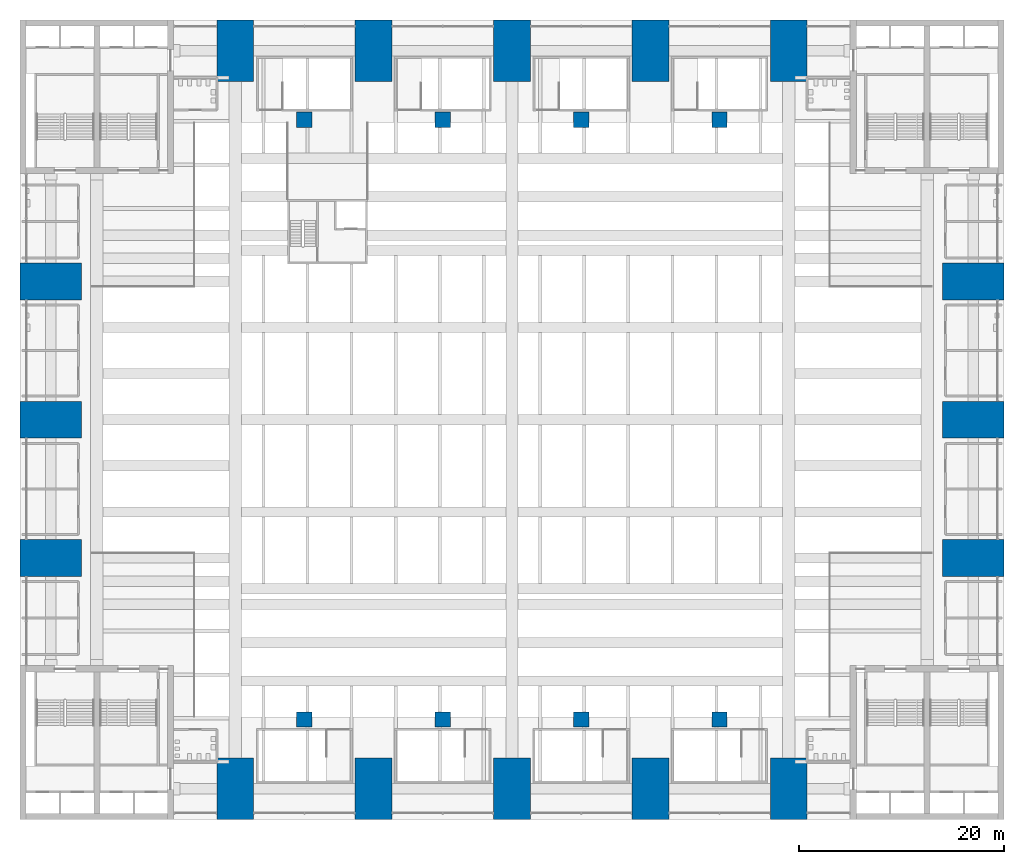
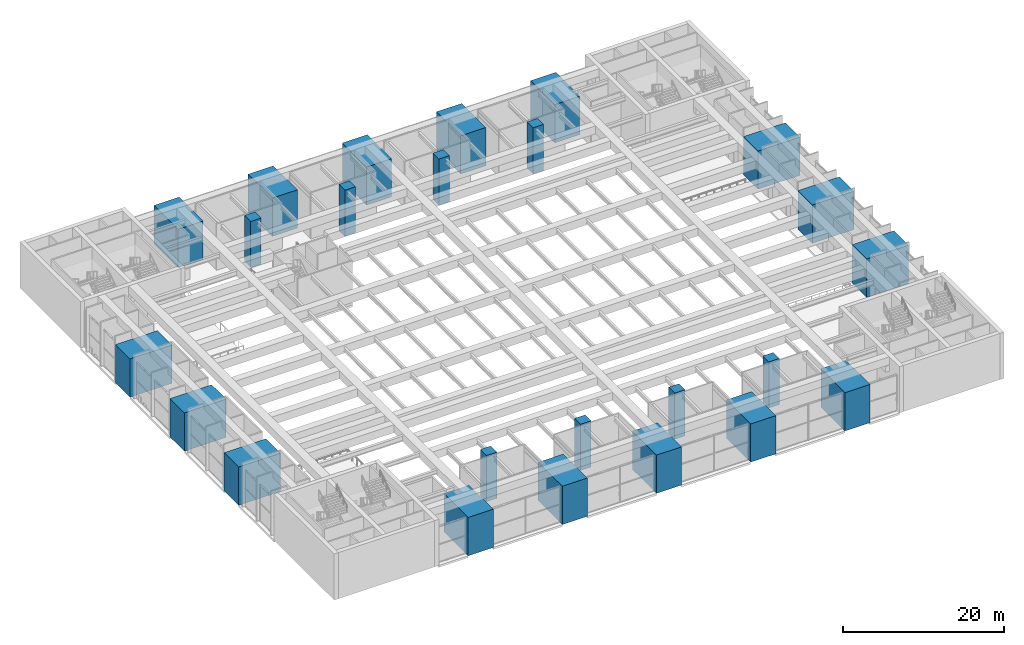
# One storey, part 1 of 45: 24 columns.
"""IFC4 building model written with IfcOpenShell, lengths in metres."""

import ifcopenshell
import ifcopenshell.guid

model = None  # the IFC model being written
_history = None  # IfcOwnerHistory: only IFC2X3 demands one
_inside = {}  # id of a spatial element -> (the spatial element, [elements in it])
_under = {}  # id of a project, library or spatial element -> (it, [spatial elements below it])
_declared = {}  # id of a project -> (the project, [libraries it declares])
_typed = {}  # id of a type object -> (the type object, [elements of that type])
_made_of = {}  # id of a material, layer set ... -> (it, [elements and type objects made of it])


def new_model(schema):
    """Start an empty IFC model of exactly this schema.

    Asked for "IFC4X3", IfcOpenShell would pick the latest addendum, in which some entities
    have other attributes; the version numbers below select the first issue.
    IFC2X3 requires an IfcOwnerHistory on every rooted entity: one is made here for all.
    """
    global model, _history
    if schema == "IFC4X3":
        model = ifcopenshell.file(schema_version=(4, 3, 0, 0))
    else:
        model = ifcopenshell.file(schema=schema)
    _inside.clear()
    _under.clear()
    _declared.clear()
    _typed.clear()
    _made_of.clear()
    _history = None
    if model.schema == "IFC2X3":
        org = make("IfcOrganization", Name="unknown")
        user = make(
            "IfcPersonAndOrganization",
            ThePerson=make("IfcPerson", FamilyName="unknown"),
            TheOrganization=org,
        )
        app = make(
            "IfcApplication",
            ApplicationDeveloper=org,
            Version="unknown",
            ApplicationFullName="unknown",
            ApplicationIdentifier="unknown",
        )
        _history = make(
            "IfcOwnerHistory",
            OwningUser=user,
            OwningApplication=app,
            ChangeAction="ADDED",
            CreationDate=0,
        )
    return model


def make(cls, **values):
    """One entity of the class cls with the attributes given. An attribute that is None is left unset."""
    return model.create_entity(
        cls, **{name: value for name, value in values.items() if value is not None}
    )


def rooted(cls, **values):
    """An entity with a GlobalId (a new one), such as an element, a storey or a relation."""
    return make(cls, GlobalId=ifcopenshell.guid.new(), OwnerHistory=_history, **values)


def si_unit(unit_type, name, prefix=None):
    """IfcSIUnit, for example si_unit("LENGTHUNIT", "METRE", prefix="MILLI")."""
    return make("IfcSIUnit", UnitType=unit_type, Prefix=prefix, Name=name)


def assignment(units):
    """IfcUnitAssignment: the units of a project."""
    return None if units is None else make("IfcUnitAssignment", Units=units)


def point(xyz):
    """IfcCartesianPoint."""
    return None if xyz is None else make("IfcCartesianPoint", Coordinates=xyz)


def direction(xyz):
    """IfcDirection."""
    return None if xyz is None else make("IfcDirection", DirectionRatios=xyz)


def frame(location, z_axis=None, x_axis=None):
    """IfcAxis2Placement3D, a coordinate frame: its origin and axes. An axis left out is left unset."""
    return make(
        "IfcAxis2Placement3D",
        Location=point(location),
        Axis=direction(z_axis),
        RefDirection=direction(x_axis),
    )


def frame_2d(location, x_axis=None):
    """IfcAxis2Placement2D, a coordinate frame in the plane: its origin and x axis."""
    return make(
        "IfcAxis2Placement2D", Location=point(location), RefDirection=direction(x_axis)
    )


def origin():
    """The frame at (0, 0, 0) with its axes left unset."""
    return frame((0.0, 0.0, 0.0))


def origin_2d():
    """The frame at (0, 0) in the plane with its x axis left unset."""
    return frame_2d((0.0, 0.0))


def place(relative_to, where):
    """IfcLocalPlacement: puts the frame where relative to a parent placement (None: the world)."""
    return make(
        "IfcLocalPlacement", PlacementRelTo=relative_to, RelativePlacement=where
    )


def context(
    kind, dimensions, precision=None, world=None, true_north=None, identifier=None
):
    """IfcGeometricRepresentationContext, for example the 3D "Model" context."""
    return make(
        "IfcGeometricRepresentationContext",
        ContextIdentifier=identifier,
        ContextType=kind,
        CoordinateSpaceDimension=dimensions,
        Precision=precision,
        WorldCoordinateSystem=world,
        TrueNorth=true_north,
    )


def subcontext(parent, identifier, kind, view, scale=None):
    """IfcGeometricRepresentationSubContext, for example "Body" below "Model"."""
    return make(
        "IfcGeometricRepresentationSubContext",
        ContextIdentifier=identifier,
        ContextType=kind,
        ParentContext=parent,
        TargetScale=scale,
        TargetView=view,
    )


def project(units=None, contexts=None):
    """IfcProject with its units and contexts."""
    return rooted(
        "IfcProject",
        Name="project",
        RepresentationContexts=contexts,
        UnitsInContext=assignment(units),
    )


def spatial(cls, under=None, at=None, **own):
    """A site, building, storey or space (cls), placed at a placement, below another one or the project."""
    s = rooted(cls, ObjectPlacement=at, **own)
    if under is not None:
        _under.setdefault(under.id(), (under, []))[1].append(s)
    return s


def profile(cls, at=None, kind="AREA", **sizes):
    """A parametric profile (cls). Its sizes go by their IFC names, for example OverallWidth=200.0."""
    return make(cls, ProfileType=kind, Position=at, **sizes)


def rectangle(**sizes):
    """IfcRectangleProfileDef."""
    return profile("IfcRectangleProfileDef", **sizes)


def extrude(swept, where, along, depth):
    """IfcExtrudedAreaSolid: the profile swept, set in the frame where, extruded along a direction by depth."""
    return make(
        "IfcExtrudedAreaSolid",
        SweptArea=swept,
        Position=where,
        ExtrudedDirection=direction(along),
        Depth=depth,
    )


def shape(context_of_items, identifier, shape_type, items):
    """IfcShapeRepresentation: the items that make up one representation, for example the "Body"."""
    return make(
        "IfcShapeRepresentation",
        ContextOfItems=context_of_items,
        RepresentationIdentifier=identifier,
        RepresentationType=shape_type,
        Items=items,
    )


def material(Name=None, Category=None):
    """IfcMaterial."""
    return make("IfcMaterial", Name=Name, Category=Category)


def material_profile(
    of_material, cross_section, Name=None, Category=None, Priority=None
):
    """IfcMaterialProfile: a cross section and its material."""
    return make(
        "IfcMaterialProfile",
        Name=Name,
        Material=of_material,
        Profile=cross_section,
        Priority=Priority,
        Category=Category,
    )


def profile_set(profiles, Name=None, composite=None):
    """IfcMaterialProfileSet."""
    return make(
        "IfcMaterialProfileSet",
        Name=Name,
        MaterialProfiles=profiles,
        CompositeProfile=composite,
    )


def made_of(thing, what):
    """Note that an element or type object is made of a material, layer set ...; save() writes the relation."""
    if what is not None:
        _made_of.setdefault(what.id(), (what, []))[1].append(thing)
    return thing


def type_object(cls, material=None, **own):
    """A type object (cls), such as IfcWallType, which elements share."""
    return made_of(rooted(cls, **own), material)


def element(
    cls,
    number,
    at=None,
    inside=None,
    cuts=None,
    type_object=None,
    material=None,
    context=None,
    identifier="Body",
    shape_type=None,
    held_by="IfcProductDefinitionShape",
    body=None,
    shapes=None,
    **own,
):
    """One element of the class cls, such as IfcWall. Its Tag is "e" and its number.

    at: its placement. inside: the storey or other place that contains it. cuts: it is an
    opening in that element (IfcRelVoidsElement). A single representation is given by context,
    identifier, shape_type and body (its items); several are given by shapes. held_by: the class
    of the entity that holds the representations. save() writes the other relations.
    """
    e = rooted(cls, Tag="e%d" % number, ObjectPlacement=at, **own)
    if body is not None:
        shapes = [shape(context, identifier, shape_type, body)]
    if shapes is not None:
        e.Representation = make(held_by, Representations=shapes)
    if inside is not None:
        _inside.setdefault(inside.id(), (inside, []))[1].append(e)
    if cuts is not None:
        rooted(
            "IfcRelVoidsElement", RelatingBuildingElement=cuts, RelatedOpeningElement=e
        )
    if type_object is not None:
        _typed.setdefault(type_object.id(), (type_object, []))[1].append(e)
    return made_of(e, material)


def aggregate(whole, parts):
    """IfcRelAggregates: a whole, such as a stair, and the parts it consists of."""
    return rooted("IfcRelAggregates", RelatingObject=whole, RelatedObjects=parts)


def save(model, path):
    """Write the relations noted so far, then the file.

    IfcRelAggregates (storeys below a building ...), IfcRelContainedInSpatialStructure (elements
    in a storey), IfcRelDefinesByType, IfcRelAssociatesMaterial and IfcRelDeclares: one each for
    every whole, place, type object, material and project.
    """
    for whole, parts in _under.values():
        aggregate(whole, parts)
    for where, things in _inside.values():
        rooted(
            "IfcRelContainedInSpatialStructure",
            RelatedElements=things,
            RelatingStructure=where,
        )
    for kind, things in _typed.values():
        rooted("IfcRelDefinesByType", RelatedObjects=things, RelatingType=kind)
    for what, things in _made_of.values():
        rooted("IfcRelAssociatesMaterial", RelatedObjects=things, RelatingMaterial=what)
    for by, libraries in _declared.values():
        rooted("IfcRelDeclares", RelatingContext=by, RelatedDefinitions=libraries)
    model.write(path)


model = new_model("IFC4")

# Units and contexts
model_context = context("Model", 3, precision=1e-05, world=origin(), true_north=direction((0.0, 1.0)))
body_context = subcontext(model_context, "Body", "Model", "MODEL_VIEW")
ifc_project = project(units=[si_unit("LENGTHUNIT", "METRE"), si_unit("AREAUNIT", "SQUARE_METRE"), si_unit("VOLUMEUNIT", "CUBIC_METRE"), si_unit("PLANEANGLEUNIT", "RADIAN"), si_unit("MASSUNIT", "GRAM", prefix="KILO")], contexts=[model_context])

# Site, building, storey
site_placement = place(None, origin())
site = spatial("IfcSite", under=ifc_project, at=site_placement, CompositionType="ELEMENT")
building_placement = place(site_placement, origin())
building = spatial("IfcBuilding", under=site, at=building_placement, Name="Corbelhall Arena Tower", CompositionType="ELEMENT")
storey_placement = place(building_placement, frame((0.0, 0.0, 37.0)))
storey = spatial("IfcBuildingStorey", under=building, at=storey_placement, Name="L05", CompositionType="ELEMENT", Elevation=37.0)

# Columns
ifc_material = material(Name="Concrete C80/95", Category="concrete")
ifc_material_profile_1 = material_profile(ifc_material, rectangle(XDim=3.60009765625, YDim=6.0, at=origin_2d()))
ifc_profile_set_1 = profile_set([ifc_material_profile_1], Name="Concrete C80/95")
column_type_1 = type_object("IfcColumnType", Name="PO-PIER-L05", PredefinedType="COLUMN", material=ifc_profile_set_1)
for number, where, z_axis, x_axis, name in (
    (1, (-27.0, 36.0, 0.0), (0.0, 0.0, 1.0), (1.0, 0.0, 0.0), "PIER N-27.0 L05"),
    (2, (-27.0, -36.0, 0.0), (0.0, 0.0, 1.0), (1.0, 0.0, 0.0), "PIER S-27.0 L05"),
    (3, (-13.5, 36.0, 0.0), (0.0, 0.0, 1.0), (1.0, 0.0, 0.0), "PIER N-13.5 L05"),
    (4, (-13.5, -36.0, 0.0), (0.0, 0.0, 1.0), (1.0, 0.0, 0.0), "PIER S-13.5 L05"),
    (5, (0.0, 36.0, 0.0), (0.0, 0.0, 1.0), (1.0, 0.0, 0.0), "PIER N+0.0 L05"),
    (6, (0.0, -36.0, 0.0), (0.0, 0.0, 1.0), (1.0, 0.0, 0.0), "PIER S+0.0 L05"),
    (7, (13.5, 36.0, 0.0), (0.0, 0.0, 1.0), (1.0, 0.0, 0.0), "PIER N+13.5 L05"),
    (8, (13.5, -36.0, 0.0), (0.0, 0.0, 1.0), (1.0, 0.0, 0.0), "PIER S+13.5 L05"),
    (9, (27.0, 36.0, 0.0), (0.0, 0.0, 1.0), (1.0, 0.0, 0.0), "PIER N+27.0 L05"),
    (10, (27.0, -36.0, 0.0), (0.0, 0.0, 1.0), (1.0, 0.0, 0.0), "PIER S+27.0 L05"),
    (11, (45.0, -13.5, 0.0), (0.0, 0.0, 1.0), (0.0, 1.0, 0.0), "PIER E-13.5 L05"),
    (12, (-45.0, -13.5, 0.0), (0.0, 0.0, 1.0), (0.0, 1.0, 0.0), "PIER W-13.5 L05"),
    (13, (45.0, 0.0, 0.0), (0.0, 0.0, 1.0), (0.0, 1.0, 0.0), "PIER E+0.0 L05"),
    (14, (-45.0, 0.0, 0.0), (0.0, 0.0, 1.0), (0.0, 1.0, 0.0), "PIER W+0.0 L05"),
    (15, (45.0, 13.5, 0.0), (0.0, 0.0, 1.0), (0.0, 1.0, 0.0), "PIER E+13.5 L05"),
    (16, (-45.0, 13.5, 0.0), (0.0, 0.0, 1.0), (0.0, 1.0, 0.0), "PIER W+13.5 L05"),
):
    element("IfcColumn", number, at=place(storey_placement, frame(where, z_axis=z_axis, x_axis=x_axis)), inside=storey, type_object=column_type_1, Name=name, PredefinedType="COLUMN", context=body_context, shape_type="SweptSolid", body=[
        extrude(rectangle(XDim=3.60009765625, YDim=6.0, at=origin_2d()), origin(), (0.0, 0.0, 1.0), 5.800048828125),
    ])
ifc_material_profile_2 = material_profile(ifc_material, rectangle(XDim=1.5, YDim=1.5, at=origin_2d()))
ifc_profile_set_2 = profile_set([ifc_material_profile_2], Name="Concrete C80/95")
column_type_2 = type_object("IfcColumnType", Name="PO-RINGCOL-1500", PredefinedType="COLUMN", material=ifc_profile_set_2)
for number, where, z_axis, x_axis, name in (
    (17, (-20.25, 29.25, 0.0), (0.0, 0.0, 1.0), (1.0, 0.0, 0.0), "RING COLUMN -20.25 +29.25 L05"),
    (18, (-20.25, -29.25, 0.0), (0.0, 0.0, 1.0), (1.0, 0.0, 0.0), "RING COLUMN -20.25 -29.25 L05"),
    (19, (-6.75, 29.25, 0.0), (0.0, 0.0, 1.0), (1.0, 0.0, 0.0), "RING COLUMN -6.75 +29.25 L05"),
    (20, (-6.75, -29.25, 0.0), (0.0, 0.0, 1.0), (1.0, 0.0, 0.0), "RING COLUMN -6.75 -29.25 L05"),
    (21, (6.75, 29.25, 0.0), (0.0, 0.0, 1.0), (1.0, 0.0, 0.0), "RING COLUMN +6.75 +29.25 L05"),
    (22, (6.75, -29.25, 0.0), (0.0, 0.0, 1.0), (1.0, 0.0, 0.0), "RING COLUMN +6.75 -29.25 L05"),
    (23, (20.25, 29.25, 0.0), (0.0, 0.0, 1.0), (1.0, 0.0, 0.0), "RING COLUMN +20.25 +29.25 L05"),
    (24, (20.25, -29.25, 0.0), (0.0, 0.0, 1.0), (1.0, 0.0, 0.0), "RING COLUMN +20.25 -29.25 L05"),
):
    element("IfcColumn", number, at=place(storey_placement, frame(where, z_axis=z_axis, x_axis=x_axis)), inside=storey, type_object=column_type_2, Name=name, PredefinedType="COLUMN", context=body_context, shape_type="SweptSolid", body=[
        extrude(rectangle(XDim=1.5, YDim=1.5, at=origin_2d()), origin(), (0.0, 0.0, 1.0), 7.0),
    ])

save(model, "model.ifc")
